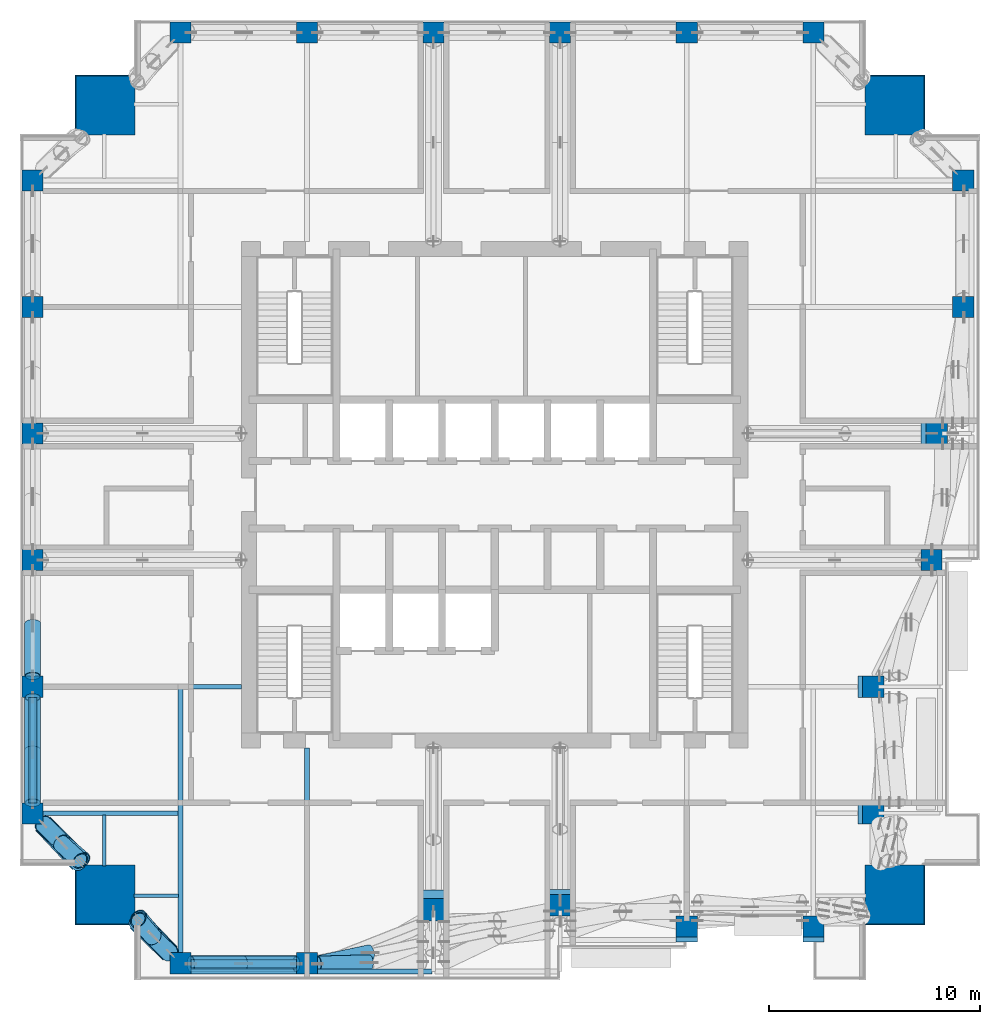
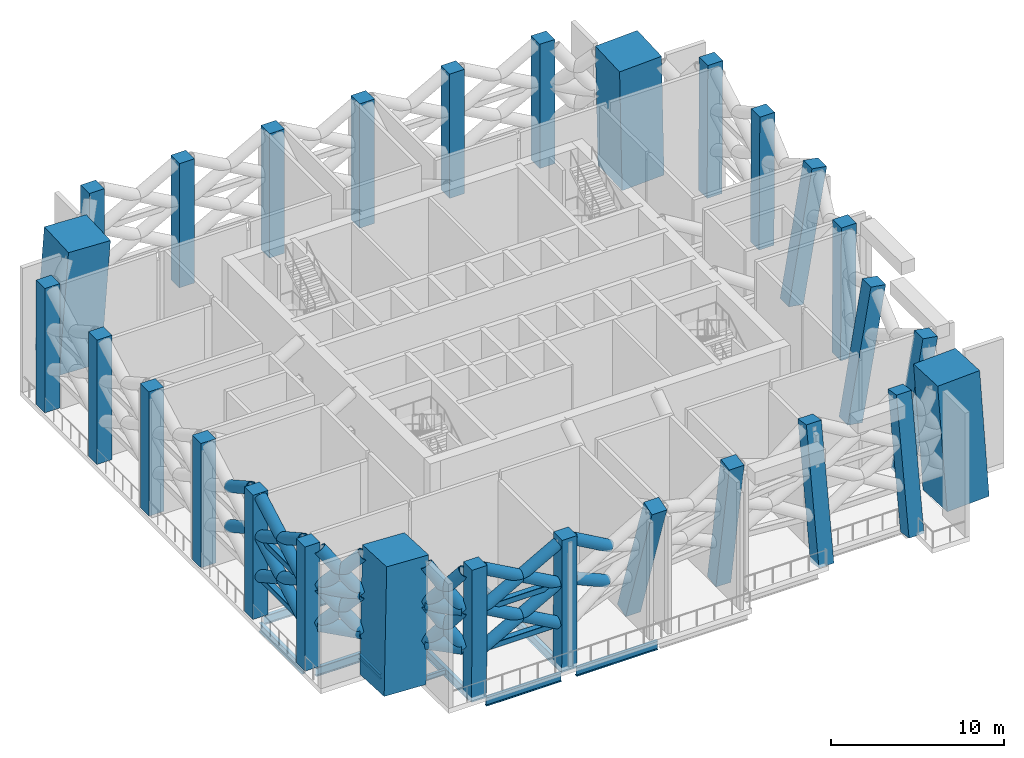
# One storey, part 1 of 18: 28 columns, 28 members, 17 beams.
"""IFC4 building model written with IfcOpenShell, lengths in metres."""

from ifc_helpers import new_model, si_unit, direction, frame, origin, origin_2d, place, context, subcontext, project, spatial, rectangle, hollow_rectangle, hollow_circle, i_section, extrude, material, material_profile, profile_set, type_object, element, save


model = new_model("IFC4")

# Units and contexts
model_context = context("Model", 3, precision=1e-05, world=origin(), true_north=direction((0.0, 1.0)))
body_context = subcontext(model_context, "Body", "Model", "MODEL_VIEW")
ifc_project = project(units=[si_unit("LENGTHUNIT", "METRE"), si_unit("AREAUNIT", "SQUARE_METRE"), si_unit("VOLUMEUNIT", "CUBIC_METRE"), si_unit("PLANEANGLEUNIT", "RADIAN"), si_unit("MASSUNIT", "GRAM", prefix="KILO")], contexts=[model_context])

# Site, building, storey
site_placement = place(None, origin())
site = spatial("IfcSite", under=ifc_project, at=site_placement, CompositionType="ELEMENT")
building_placement = place(site_placement, origin())
building = spatial("IfcBuilding", under=site, at=building_placement, Name="Amberfall Residences", CompositionType="ELEMENT")
storey_placement = place(building_placement, frame((0.0, 0.0, 178.0)))
storey = spatial("IfcBuildingStorey", under=building, at=storey_placement, Name="L48", CompositionType="ELEMENT", Elevation=178.0)

# Columns
ifc_material_1 = material(Name="Concrete C60", Category="concrete")
ifc_material_profile_1 = material_profile(ifc_material_1, rectangle(XDim=1.0, YDim=1.0, at=origin_2d()), Name="Column 1000 x 1000 C60")
ifc_profile_set_1 = profile_set([ifc_material_profile_1], Name="Concrete C60")
column_type_1 = type_object("IfcColumnType", Name="Column 1000 x 1000 C60", PredefinedType="COLUMN", material=ifc_profile_set_1)
for number, where, z_axis, x_axis, name in (
    (1, (59.60009765625, 23.300048828125, -0.347412109375), (0.0, -0.005355759741, 0.999985657816), (1.0, 0.0, 0.0), "Column C3 L48 S1"),
    (2, (65.60009765625, 23.300048828125, -0.347412109375), (0.0, -0.005355759741, 0.999985657816), (1.0, 0.0, 0.0), "Column C3 L48 S2"),
):
    element("IfcColumn", number, at=place(storey_placement, frame(where, z_axis=z_axis, x_axis=x_axis)), inside=storey, type_object=column_type_1, Name=name, PredefinedType="COLUMN", context=body_context, shape_type="SweptSolid", body=[
        extrude(rectangle(XDim=1.0, YDim=1.0, at=origin_2d()), origin(), (0.0, 0.0, 1.0), 9.344970703125),
    ])
column_1_placement = place(storey_placement, frame((71.60009765625, 26.300048828125, -0.18994140625), z_axis=(0.0, -0.320006002898, 0.947415515024), x_axis=(1.0, 0.0, 0.0)))
element("IfcColumn", 3, at=column_1_placement, inside=storey, type_object=column_type_1, Name="Column C3 L48 S3", PredefinedType="COLUMN", context=body_context, shape_type="SweptSolid", body=[
    extrude(rectangle(XDim=1.0, YDim=1.0, at=origin_2d()), origin(), (0.0, 0.0, 1.0), 9.53125),
])
column_2_placement = place(storey_placement, frame((77.60009765625, 26.300048828125, -0.266845703125), z_axis=(0.0, -0.166430551689, 0.986053178822), x_axis=(1.0, 0.0, 0.0)))
element("IfcColumn", 4, at=column_2_placement, inside=storey, type_object=column_type_1, Name="Column C3 L48 S4", PredefinedType="COLUMN", context=body_context, shape_type="SweptSolid", body=[
    extrude(rectangle(XDim=1.0, YDim=1.0, at=origin_2d()), origin(), (0.0, 0.0, 1.0), 9.3134765625),
])
for number, where, z_axis, x_axis, name in (
    (5, (83.60009765625, 24.800048828125, -0.272216796875), (0.0, 0.155775350737, 0.987792508629), (-1.0, 0.0, 0.0), "Column C3 L48 S5"),
    (6, (89.60009765625, 24.800048828125, -0.272216796875), (0.0, 0.155775350737, 0.987792508629), (-1.0, 0.0, 0.0), "Column C3 L48 S6"),
):
    element("IfcColumn", number, at=place(storey_placement, frame(where, z_axis=z_axis, x_axis=x_axis)), inside=storey, type_object=column_type_1, Name=name, PredefinedType="COLUMN", context=body_context, shape_type="SweptSolid", body=[
        extrude(rectangle(XDim=1.0, YDim=1.0, at=origin_2d()), origin(), (0.0, 0.0, 1.0), 9.307861328125),
    ])
for number, where, z_axis, x_axis, name in (
    (7, (92.199951171875, 30.39990234375, -0.266845703125), (0.166430551689, 0.0, 0.986053178822), (0.0, 1.0, 0.0), "Column C3 L48 E1"),
    (8, (92.199951171875, 36.39990234375, -0.266845703125), (0.166430551689, 0.0, 0.986053178822), (0.0, 1.0, 0.0), "Column C3 L48 E2"),
):
    element("IfcColumn", number, at=place(storey_placement, frame(where, z_axis=z_axis, x_axis=x_axis)), inside=storey, type_object=column_type_1, Name=name, PredefinedType="COLUMN", context=body_context, shape_type="SweptSolid", body=[
        extrude(rectangle(XDim=1.0, YDim=1.0, at=origin_2d()), origin(), (0.0, 0.0, 1.0), 9.3134765625),
    ])
column_3_placement = place(storey_placement, frame((95.199951171875, 42.39990234375, -0.347412109375), z_axis=(0.005355759741, 0.0, 0.999985657816), x_axis=(0.0, 1.0, 0.0)))
element("IfcColumn", 9, at=column_3_placement, inside=storey, type_object=column_type_1, Name="Column C3 L48 E3", PredefinedType="COLUMN", context=body_context, shape_type="SweptSolid", body=[
    extrude(rectangle(XDim=1.0, YDim=1.0, at=origin_2d()), origin(), (0.0, 0.0, 1.0), 9.344970703125),
])
column_4_placement = place(storey_placement, frame((95.199951171875, 48.39990234375, -0.266845703125), z_axis=(0.166430551689, 0.0, 0.986053178822), x_axis=(0.0, 1.0, 0.0)))
element("IfcColumn", 10, at=column_4_placement, inside=storey, type_object=column_type_1, Name="Column C3 L48 E4", PredefinedType="COLUMN", context=body_context, shape_type="SweptSolid", body=[
    extrude(rectangle(XDim=1.0, YDim=1.0, at=origin_2d()), origin(), (0.0, 0.0, 1.0), 9.3134765625),
])
for number, where, z_axis, x_axis, name in (
    (11, (96.699951171875, 54.39990234375, -0.347412109375), (0.005355759741, 0.0, 0.999985657816), (0.0, 1.0, 0.0), "Column C3 L48 E5"),
    (12, (96.699951171875, 60.39990234375, -0.347412109375), (0.005355759741, 0.0, 0.999985657816), (0.0, 1.0, 0.0), "Column C3 L48 E6"),
):
    element("IfcColumn", number, at=place(storey_placement, frame(where, z_axis=z_axis, x_axis=x_axis)), inside=storey, type_object=column_type_1, Name=name, PredefinedType="COLUMN", context=body_context, shape_type="SweptSolid", body=[
        extrude(rectangle(XDim=1.0, YDim=1.0, at=origin_2d()), origin(), (0.0, 0.0, 1.0), 9.344970703125),
    ])
for number, where, z_axis, x_axis, name in (
    (13, (59.60009765625, 67.39990234375, 0.0), (0.0, 0.0, 1.0), (1.0, 0.0, 0.0), "Column C3 L48 N1"),
    (14, (65.60009765625, 67.39990234375, 0.0), (0.0, 0.0, 1.0), (1.0, 0.0, 0.0), "Column C3 L48 N2"),
    (15, (71.60009765625, 67.39990234375, 0.0), (0.0, 0.0, 1.0), (1.0, 0.0, 0.0), "Column C3 L48 N3"),
    (16, (77.60009765625, 67.39990234375, 0.0), (0.0, 0.0, 1.0), (1.0, 0.0, 0.0), "Column C3 L48 N4"),
    (17, (83.60009765625, 67.39990234375, 0.0), (0.0, 0.0, 1.0), (1.0, 0.0, 0.0), "Column C3 L48 N5"),
    (18, (89.60009765625, 67.39990234375, 0.0), (0.0, 0.0, 1.0), (1.0, 0.0, 0.0), "Column C3 L48 N6"),
    (19, (52.60009765625, 30.39990234375, 0.0), (0.0, 0.0, 1.0), (1.0, 0.0, 0.0), "Column C3 L48 W1"),
    (20, (52.60009765625, 36.39990234375, 0.0), (0.0, 0.0, 1.0), (1.0, 0.0, 0.0), "Column C3 L48 W2"),
    (21, (52.60009765625, 42.39990234375, 0.0), (0.0, 0.0, 1.0), (1.0, 0.0, 0.0), "Column C3 L48 W3"),
    (22, (52.60009765625, 48.39990234375, 0.0), (0.0, 0.0, 1.0), (1.0, 0.0, 0.0), "Column C3 L48 W4"),
    (23, (52.60009765625, 54.39990234375, 0.0), (0.0, 0.0, 1.0), (1.0, 0.0, 0.0), "Column C3 L48 W5"),
    (24, (52.60009765625, 60.39990234375, 0.0), (0.0, 0.0, 1.0), (1.0, 0.0, 0.0), "Column C3 L48 W6"),
):
    element("IfcColumn", number, at=place(storey_placement, frame(where, z_axis=z_axis, x_axis=x_axis)), inside=storey, type_object=column_type_1, Name=name, PredefinedType="COLUMN", context=body_context, shape_type="SweptSolid", body=[
        extrude(rectangle(XDim=1.0, YDim=1.0, at=origin_2d()), origin(), (0.0, 0.0, 1.0), 8.75),
    ])
ifc_material_profile_2 = material_profile(ifc_material_1, rectangle(XDim=2.800048828125, YDim=2.800048828125, at=origin_2d()), Name="Mega column 2800 x 2800 C60")
ifc_profile_set_2 = profile_set([ifc_material_profile_2], Name="Concrete C60")
column_type_2 = type_object("IfcColumnType", Name="Mega column 2800 x 2800 C60", PredefinedType="COLUMN", material=ifc_profile_set_2)
for number, where, z_axis, x_axis, name in (
    (25, (56.0, 26.5, 0.127685546875), (0.045635855998, 0.045635855998, 0.997915195442), (-0.998957597721, 0.001042402279, 0.045635855998), "Mega column MC5 L48 SW"),
    (26, (93.5, 26.5, 0.127685546875), (-0.045635855998, 0.045635855998, 0.997915195442), (-0.001042402279, -0.998957597721, 0.045635855998), "Mega column MC5 L48 SE"),
    (27, (93.5, 64.0, 0.127685546875), (-0.045635855998, -0.045635855998, 0.997915195442), (0.998957597721, -0.001042402279, 0.045635855998), "Mega column MC5 L48 NE"),
    (28, (56.0, 64.0, 0.127685546875), (0.045635855998, -0.045635855998, 0.997915195442), (0.001042402279, 0.998957597721, 0.045635855998), "Mega column MC5 L48 NW"),
):
    element("IfcColumn", number, at=place(storey_placement, frame(where, z_axis=z_axis, x_axis=x_axis)), inside=storey, type_object=column_type_2, Name=name, PredefinedType="COLUMN", context=body_context, shape_type="SweptSolid", body=[
        extrude(rectangle(XDim=2.800048828125, YDim=2.800048828125, at=origin_2d()), origin(), (0.0, 0.0, 1.0), 8.762939453125),
    ])

# Beams
ifc_material_2 = material(Name="Steel S355", Category="steel")
ifc_material_profile_3 = material_profile(ifc_material_2, hollow_circle(Radius=0.457275390625, WallThickness=0.06005859375, at=origin_2d()), Name="CHS 914.4x60")
ifc_profile_set_3 = profile_set([ifc_material_profile_3], Name="Steel S355")
beam_type_1 = type_object("IfcBeamType", Name="Belt truss chord BT CHS 914.4x60", PredefinedType="BEAM", material=ifc_profile_set_3)
beam_1_placement = place(storey_placement, frame((57.531494140625, 25.279541015625, 3.0), z_axis=(0.719370592212, -0.694626483126, 0.0), x_axis=(0.694626483126, 0.719370592212, 0.0)))
element("IfcBeam", 29, at=beam_1_placement, inside=storey, type_object=beam_type_1, Name="Belt truss chord BT2 L48 SWS", PredefinedType="BEAM", context=body_context, shape_type="SweptSolid", body=[
    extrude(hollow_circle(Radius=0.457275390625, WallThickness=0.06005859375, at=origin_2d()), origin(), (0.0, 0.0, 1.0), 2.180419921875),
])
beam_2_placement = place(storey_placement, frame((57.597412109375, 25.352294921875, 5.646484375), z_axis=(0.692797770841, -0.721131921854, 0.0), x_axis=(0.721131921854, 0.692797770841, 0.0)))
element("IfcBeam", 30, at=beam_2_placement, inside=storey, type_object=beam_type_1, Name="Belt truss chord BT2 L48 SWSm", PredefinedType="BEAM", context=body_context, shape_type="SweptSolid", body=[
    extrude(hollow_circle(Radius=0.457275390625, WallThickness=0.06005859375, at=origin_2d()), origin(), (0.0, 0.0, 1.0), 2.197265625),
])
beam_3_placement = place(storey_placement, frame((54.8193359375, 28.031494140625, 3.0), z_axis=(-0.683753974812, 0.729712615986, 0.0), x_axis=(-0.729712615986, -0.683753974812, 0.0)))
element("IfcBeam", 31, at=beam_3_placement, inside=storey, type_object=beam_type_1, Name="Belt truss chord BT2 L48 SWW", PredefinedType="BEAM", context=body_context, shape_type="SweptSolid", body=[
    extrude(hollow_circle(Radius=0.457275390625, WallThickness=0.06005859375, at=origin_2d()), origin(), (0.0, 0.0, 1.0), 2.560546875),
])
beam_4_placement = place(storey_placement, frame((54.852294921875, 28.150634765625, 5.646484375), z_axis=(-0.707550278113, 0.706663005924, 0.0), x_axis=(-0.706663005924, -0.707550278113, 0.0)))
element("IfcBeam", 32, at=beam_4_placement, inside=storey, type_object=beam_type_1, Name="Belt truss chord BT2 L48 SWWm", PredefinedType="BEAM", context=body_context, shape_type="SweptSolid", body=[
    extrude(hollow_circle(Radius=0.457275390625, WallThickness=0.06005859375, at=origin_2d()), origin(), (0.0, 0.0, 1.0), 2.476318359375),
])
ifc_material_profile_4 = material_profile(ifc_material_2, hollow_rectangle(XDim=0.39990234375, YDim=0.39990234375, WallThickness=0.02001953125, InnerFilletRadius=0.02001953125, OuterFilletRadius=0.030029296875, at=origin_2d()), Name="RHS 400x400x20")
ifc_profile_set_4 = profile_set([ifc_material_profile_4], Name="Steel S355")
beam_type_2 = type_object("IfcBeamType", Name="Belt truss chord BT RHS 400x400x20", PredefinedType="BEAM", material=ifc_profile_set_4)
for number, where, z_axis, x_axis, name in (
    (33, (60.10009765625, 23.28271484375, 2.89990234375), (1.0, 0.0, 0.0), (0.0, 1.0, 0.0), "Belt truss chord BT3 L48 S1"),
    (34, (60.10009765625, 23.267578125, 5.699951171875), (1.0, 0.0, 0.0), (0.0, 1.0, 0.0), "Belt truss chord BT3 L48 S1m"),
    (35, (52.60009765625, 30.89990234375, 2.89990234375), (0.0, 1.0, 0.0), (-1.0, 0.0, 0.0), "Belt truss chord BT3 L48 W1"),
    (36, (52.60009765625, 30.89990234375, 5.699951171875), (0.0, 1.0, 0.0), (-1.0, 0.0, 0.0), "Belt truss chord BT3 L48 W1m"),
):
    element("IfcBeam", number, at=place(storey_placement, frame(where, z_axis=z_axis, x_axis=x_axis)), inside=storey, type_object=beam_type_2, Name=name, PredefinedType="BEAM", context=body_context, shape_type="SweptSolid", body=[
        extrude(hollow_rectangle(XDim=0.39990234375, YDim=0.39990234375, WallThickness=0.02001953125, InnerFilletRadius=0.02001953125, OuterFilletRadius=0.030029296875, at=origin_2d()), origin(), (0.0, 0.0, 1.0), 5.0),
    ])

# Members
ifc_material_profile_5 = material_profile(ifc_material_2, hollow_circle(Radius=0.381103515625, WallThickness=0.0400390625, at=origin_2d()), Name="CHS 762x40")
ifc_profile_set_5 = profile_set([ifc_material_profile_5], Name="Steel S355")
member_type_1 = type_object("IfcMemberType", Name="Belt truss diagonal BT CHS 762x40", PredefinedType="BRACE", material=ifc_profile_set_5)
member_1_placement = place(storey_placement, frame((60.10009765625, 23.28271484375, 2.89990234375), z_axis=(0.872499339919, -0.002641355424, 0.488608150856), x_axis=(0.003027329878, 0.999995417626, 0.0)))
element("IfcMember", 37, at=member_1_placement, inside=storey, type_object=member_type_1, Name="Belt truss diagonal BT4 L48 S1d", PredefinedType="BRACE", context=body_context, shape_type="SweptSolid", body=[
    extrude(hollow_circle(Radius=0.381103515625, WallThickness=0.0400390625, at=origin_2d()), origin(), (0.0, 0.0, 1.0), 5.730712890625),
])
member_2_placement = place(storey_placement, frame((60.10009765625, 23.267578125, 5.699951171875), z_axis=(0.872517501581, 0.002641410405, -0.48857571817), x_axis=(-0.003027329878, 0.999995417626, 0.0)))
element("IfcMember", 38, at=member_2_placement, inside=storey, type_object=member_type_1, Name="Belt truss diagonal BT4 L48 S1e", PredefinedType="BRACE", context=body_context, shape_type="SweptSolid", body=[
    extrude(hollow_circle(Radius=0.381103515625, WallThickness=0.0400390625, at=origin_2d()), origin(), (0.0, 0.0, 1.0), 2.865234375),
])
member_3_placement = place(storey_placement, frame((62.60009765625, 23.275146484375, 4.300048828125), z_axis=(0.872481177807, 0.002641300441, -0.488640581516), x_axis=(-0.003027329878, 0.999995417626, 0.0)))
element("IfcMember", 39, at=member_3_placement, inside=storey, type_object=member_type_1, Name="Belt truss diagonal BT4 L48 S1e2", PredefinedType="BRACE", context=body_context, shape_type="SweptSolid", body=[
    extrude(hollow_circle(Radius=0.381103515625, WallThickness=0.0400390625, at=origin_2d()), origin(), (0.0, 0.0, 1.0), 2.865478515625),
])
member_4_placement = place(storey_placement, frame((60.10009765625, 23.267578125, 5.699951171875), z_axis=(0.872499437308, -0.002598753207, 0.488608205395), x_axis=(0.002978502413, 0.999995564252, 0.0)))
element("IfcMember", 40, at=member_4_placement, inside=storey, type_object=member_type_1, Name="Belt truss diagonal BT4 L48 S1du", PredefinedType="BRACE", context=body_context, shape_type="SweptSolid", body=[
    extrude(hollow_circle(Radius=0.381103515625, WallThickness=0.0400390625, at=origin_2d()), origin(), (0.0, 0.0, 1.0), 5.730712890625),
])
member_5_placement = place(storey_placement, frame((60.10009765625, 23.252685546875, 8.5), z_axis=(0.872517501581, 0.002641410405, -0.48857571817), x_axis=(-0.003027329878, 0.999995417626, 0.0)))
element("IfcMember", 41, at=member_5_placement, inside=storey, type_object=member_type_1, Name="Belt truss diagonal BT4 L48 S1eu", PredefinedType="BRACE", context=body_context, shape_type="SweptSolid", body=[
    extrude(hollow_circle(Radius=0.381103515625, WallThickness=0.0400390625, at=origin_2d()), origin(), (0.0, 0.0, 1.0), 2.865234375),
])
member_6_placement = place(storey_placement, frame((62.60009765625, 23.26025390625, 7.10009765625), z_axis=(0.87248137099, 0.002556097767, -0.48864068971), x_axis=(-0.002929674927, 0.999995708493, 0.0)))
element("IfcMember", 42, at=member_6_placement, inside=storey, type_object=member_type_1, Name="Belt truss diagonal BT4 L48 S1e2u", PredefinedType="BRACE", context=body_context, shape_type="SweptSolid", body=[
    extrude(hollow_circle(Radius=0.381103515625, WallThickness=0.0400390625, at=origin_2d()), origin(), (0.0, 0.0, 1.0), 2.865478515625),
])
member_7_placement = place(storey_placement, frame((66.10009765625, 23.267578125, 5.699951171875), z_axis=(0.857872288562, 0.181531005962, -0.480730309417), x_axis=(-0.207021925831, 0.978336303234, 0.0)))
element("IfcMember", 43, at=member_7_placement, inside=storey, type_object=member_type_1, Name="Belt truss diagonal BT4 L48 S2e", PredefinedType="BRACE", context=body_context, shape_type="SweptSolid", body=[
    extrude(hollow_circle(Radius=0.381103515625, WallThickness=0.0400390625, at=origin_2d()), origin(), (0.0, 0.0, 1.0), 2.9130859375),
])
member_8_placement = place(storey_placement, frame((66.10009765625, 23.252685546875, 8.5), z_axis=(0.865032685338, 0.022087769511, -0.501229073114), x_axis=(-0.025525708958, 0.999674166007, 0.0)))
element("IfcMember", 44, at=member_8_placement, inside=storey, type_object=member_type_1, Name="Belt truss diagonal BT4 L48 S2eu", PredefinedType="BRACE", context=body_context, shape_type="SweptSolid", body=[
    extrude(hollow_circle(Radius=0.381103515625, WallThickness=0.0400390625, at=origin_2d()), origin(), (0.0, 0.0, 1.0), 2.840576171875),
])
member_9_placement = place(storey_placement, frame((52.60009765625, 30.89990234375, 2.89990234375), z_axis=(0.0, 0.872502383543, 0.488609855315), x_axis=(-1.0, 0.0, 0.0)))
element("IfcMember", 45, at=member_9_placement, inside=storey, type_object=member_type_1, Name="Belt truss diagonal BT4 L48 W1d", PredefinedType="BRACE", context=body_context, shape_type="SweptSolid", body=[
    extrude(hollow_circle(Radius=0.381103515625, WallThickness=0.0400390625, at=origin_2d()), origin(), (0.0, 0.0, 1.0), 5.730712890625),
])
member_10_placement = place(storey_placement, frame((52.60009765625, 30.89990234375, 5.699951171875), z_axis=(0.0, 0.872520545396, -0.488577422588), x_axis=(-1.0, 0.0, 0.0)))
element("IfcMember", 46, at=member_10_placement, inside=storey, type_object=member_type_1, Name="Belt truss diagonal BT4 L48 W1e", PredefinedType="BRACE", context=body_context, shape_type="SweptSolid", body=[
    extrude(hollow_circle(Radius=0.381103515625, WallThickness=0.0400390625, at=origin_2d()), origin(), (0.0, 0.0, 1.0), 2.865234375),
])
member_11_placement = place(storey_placement, frame((52.60009765625, 33.39990234375, 4.300048828125), z_axis=(0.0, 0.872484221242, -0.488642286018), x_axis=(-1.0, 0.0, 0.0)))
element("IfcMember", 47, at=member_11_placement, inside=storey, type_object=member_type_1, Name="Belt truss diagonal BT4 L48 W1e2", PredefinedType="BRACE", context=body_context, shape_type="SweptSolid", body=[
    extrude(hollow_circle(Radius=0.381103515625, WallThickness=0.0400390625, at=origin_2d()), origin(), (0.0, 0.0, 1.0), 2.865478515625),
])
member_12_placement = place(storey_placement, frame((52.60009765625, 30.89990234375, 5.699951171875), z_axis=(0.0, 0.872502383543, 0.488609855315), x_axis=(-1.0, 0.0, 0.0)))
element("IfcMember", 48, at=member_12_placement, inside=storey, type_object=member_type_1, Name="Belt truss diagonal BT4 L48 W1du", PredefinedType="BRACE", context=body_context, shape_type="SweptSolid", body=[
    extrude(hollow_circle(Radius=0.381103515625, WallThickness=0.0400390625, at=origin_2d()), origin(), (0.0, 0.0, 1.0), 5.730712890625),
])
member_13_placement = place(storey_placement, frame((52.60009765625, 30.89990234375, 8.5), z_axis=(0.0, 0.872520545396, -0.488577422588), x_axis=(-1.0, 0.0, 0.0)))
element("IfcMember", 49, at=member_13_placement, inside=storey, type_object=member_type_1, Name="Belt truss diagonal BT4 L48 W1eu", PredefinedType="BRACE", context=body_context, shape_type="SweptSolid", body=[
    extrude(hollow_circle(Radius=0.381103515625, WallThickness=0.0400390625, at=origin_2d()), origin(), (0.0, 0.0, 1.0), 2.865234375),
])
member_14_placement = place(storey_placement, frame((52.60009765625, 33.39990234375, 7.10009765625), z_axis=(0.0, 0.872484221242, -0.488642286018), x_axis=(-1.0, 0.0, 0.0)))
element("IfcMember", 50, at=member_14_placement, inside=storey, type_object=member_type_1, Name="Belt truss diagonal BT4 L48 W1e2u", PredefinedType="BRACE", context=body_context, shape_type="SweptSolid", body=[
    extrude(hollow_circle(Radius=0.381103515625, WallThickness=0.0400390625, at=origin_2d()), origin(), (0.0, 0.0, 1.0), 2.865478515625),
])
for number, where, z_axis, x_axis, name in (
    (51, (52.60009765625, 36.89990234375, 5.699951171875), (0.0, 0.872520545396, -0.488577422588), (-1.0, 0.0, 0.0), "Belt truss diagonal BT4 L48 W2e"),
    (52, (52.60009765625, 36.89990234375, 8.5), (0.0, 0.872520545396, -0.488577422588), (-1.0, 0.0, 0.0), "Belt truss diagonal BT4 L48 W2eu"),
):
    element("IfcMember", number, at=place(storey_placement, frame(where, z_axis=z_axis, x_axis=x_axis)), inside=storey, type_object=member_type_1, Name=name, PredefinedType="BRACE", context=body_context, shape_type="SweptSolid", body=[
        extrude(hollow_circle(Radius=0.381103515625, WallThickness=0.0400390625, at=origin_2d()), origin(), (0.0, 0.0, 1.0), 2.865234375),
    ])
ifc_material_profile_6 = material_profile(ifc_material_2, hollow_circle(Radius=0.406494140625, WallThickness=0.050048828125, at=origin_2d()), Name="CHS 813x50")
ifc_profile_set_6 = profile_set([ifc_material_profile_6], Name="Steel S355")
member_type_2 = type_object("IfcMemberType", Name="Belt truss diagonal BT CHS 813x50", PredefinedType="BRACE", material=ifc_profile_set_6)
member_15_placement = place(storey_placement, frame((57.531494140625, 25.279541015625, 3.0), z_axis=(0.46210181302, -0.439866937159, 0.770051291797), x_axis=(0.689466082588, 0.724317969514, 0.0)))
element("IfcMember", 53, at=member_15_placement, inside=storey, type_object=member_type_2, Name="Belt truss diagonal BT5 L48 SWSd", PredefinedType="BRACE", context=body_context, shape_type="SweptSolid", body=[
    extrude(hollow_circle(Radius=0.406494140625, WallThickness=0.050048828125, at=origin_2d()), origin(), (0.0, 0.0, 1.0), 3.436767578125),
])
member_16_placement = place(storey_placement, frame((57.597412109375, 25.352294921875, 5.646484375), z_axis=(0.420776574606, -0.479127281014, -0.770314301341), x_axis=(0.751378447399, 0.659871524453, 0.0)))
element("IfcMember", 54, at=member_16_placement, inside=storey, type_object=member_type_2, Name="Belt truss diagonal BT5 L48 SWSe", PredefinedType="BRACE", context=body_context, shape_type="SweptSolid", body=[
    extrude(hollow_circle(Radius=0.406494140625, WallThickness=0.050048828125, at=origin_2d()), origin(), (0.0, 0.0, 1.0), 1.723876953125),
])
member_17_placement = place(storey_placement, frame((58.32275390625, 24.5263671875, 4.318603515625), z_axis=(0.454686352055, -0.445404124391, -0.771281717164), x_axis=(0.699777498231, 0.714360870268, 0.0)))
element("IfcMember", 55, at=member_17_placement, inside=storey, type_object=member_type_2, Name="Belt truss diagonal BT5 L48 SWSe2", PredefinedType="BRACE", context=body_context, shape_type="SweptSolid", body=[
    extrude(hollow_circle(Radius=0.406494140625, WallThickness=0.050048828125, at=origin_2d()), origin(), (0.0, 0.0, 1.0), 1.709716796875),
])
member_18_placement = place(storey_placement, frame((57.597412109375, 25.352294921875, 5.646484375), z_axis=(0.449671527403, -0.461803841554, 0.76454740165), x_axis=(0.716455354619, 0.697632944203, 0.0)))
element("IfcMember", 56, at=member_18_placement, inside=storey, type_object=member_type_2, Name="Belt truss diagonal BT5 L48 SWSdu", PredefinedType="BRACE", context=body_context, shape_type="SweptSolid", body=[
    extrude(hollow_circle(Radius=0.406494140625, WallThickness=0.050048828125, at=origin_2d()), origin(), (0.0, 0.0, 1.0), 3.461181640625),
])
member_19_placement = place(storey_placement, frame((57.62109375, 25.471435546875, 8.292724609375), z_axis=(0.412879356769, -0.504265509957, -0.758450349214), x_axis=(0.773732791049, 0.633512089904, 0.0)))
element("IfcMember", 57, at=member_19_placement, inside=storey, type_object=member_type_2, Name="Belt truss diagonal BT5 L48 SWSeu", PredefinedType="BRACE", context=body_context, shape_type="SweptSolid", body=[
    extrude(hollow_circle(Radius=0.406494140625, WallThickness=0.050048828125, at=origin_2d()), origin(), (0.0, 0.0, 1.0), 1.78466796875),
])
member_20_placement = place(storey_placement, frame((58.35791015625, 24.571533203125, 6.939208984375), z_axis=(0.447504740223, -0.472174873338, -0.759467179321), x_axis=(0.72581362308, 0.687891404621, 0.0)))
element("IfcMember", 58, at=member_20_placement, inside=storey, type_object=member_type_2, Name="Belt truss diagonal BT5 L48 SWSe2u", PredefinedType="BRACE", context=body_context, shape_type="SweptSolid", body=[
    extrude(hollow_circle(Radius=0.406494140625, WallThickness=0.050048828125, at=origin_2d()), origin(), (0.0, 0.0, 1.0), 1.7021484375),
])
member_21_placement = place(storey_placement, frame((54.8193359375, 28.031494140625, 3.0), z_axis=(-0.468728012521, 0.509596941758, 0.72152963018), x_axis=(-0.736003816288, -0.676977386926, 0.0)))
element("IfcMember", 59, at=member_21_placement, inside=storey, type_object=member_type_2, Name="Belt truss diagonal BT5 L48 SWWd", PredefinedType="BRACE", context=body_context, shape_type="SweptSolid", body=[
    extrude(hollow_circle(Radius=0.406494140625, WallThickness=0.050048828125, at=origin_2d()), origin(), (0.0, 0.0, 1.0), 3.66796875),
])
member_22_placement = place(storey_placement, frame((54.852294921875, 28.150634765625, 5.646484375), z_axis=(-0.50666845183, 0.464264283768, -0.726461117155), x_axis=(-0.675580863112, -0.737285899361, 0.0)))
element("IfcMember", 60, at=member_22_placement, inside=storey, type_object=member_type_2, Name="Belt truss diagonal BT5 L48 SWWe", PredefinedType="BRACE", context=body_context, shape_type="SweptSolid", body=[
    extrude(hollow_circle(Radius=0.406494140625, WallThickness=0.050048828125, at=origin_2d()), origin(), (0.0, 0.0, 1.0), 1.79052734375),
])
member_23_placement = place(storey_placement, frame((53.945068359375, 28.98193359375, 4.345703125), z_axis=(-0.473815026918, 0.496251950198, -0.727484241886), x_axis=(-0.723268197171, -0.690567241448, 0.0)))
element("IfcMember", 61, at=member_23_placement, inside=storey, type_object=member_type_2, Name="Belt truss diagonal BT5 L48 SWWe2", PredefinedType="BRACE", context=body_context, shape_type="SweptSolid", body=[
    extrude(hollow_circle(Radius=0.406494140625, WallThickness=0.050048828125, at=origin_2d()), origin(), (0.0, 0.0, 1.0), 1.849853515625),
])
member_24_placement = place(storey_placement, frame((54.852294921875, 28.150634765625, 5.646484375), z_axis=(-0.481429125452, 0.489478657994, 0.72707402686), x_axis=(-0.712944709195, -0.701220251869, 0.0)))
element("IfcMember", 62, at=member_24_placement, inside=storey, type_object=member_type_2, Name="Belt truss diagonal BT5 L48 SWWdu", PredefinedType="BRACE", context=body_context, shape_type="SweptSolid", body=[
    extrude(hollow_circle(Radius=0.406494140625, WallThickness=0.050048828125, at=origin_2d()), origin(), (0.0, 0.0, 1.0), 3.6396484375),
])
member_25_placement = place(storey_placement, frame((54.971435546875, 28.181396484375, 8.292724609375), z_axis=(-0.525280578389, 0.452706338657, -0.72051182149), x_axis=(-0.652838898376, -0.757496780698, 0.0)))
element("IfcMember", 63, at=member_25_placement, inside=storey, type_object=member_type_2, Name="Belt truss diagonal BT5 L48 SWWeu", PredefinedType="BRACE", context=body_context, shape_type="SweptSolid", body=[
    extrude(hollow_circle(Radius=0.406494140625, WallThickness=0.050048828125, at=origin_2d()), origin(), (0.0, 0.0, 1.0), 1.866943359375),
])
member_26_placement = place(storey_placement, frame((53.99072265625, 29.026611328125, 6.947509765625), z_axis=(-0.494045297469, 0.484836119775, -0.72170158723), x_axis=(-0.700423424984, -0.713727557079, 0.0)))
element("IfcMember", 64, at=member_26_placement, inside=storey, type_object=member_type_2, Name="Belt truss diagonal BT5 L48 SWWe2u", PredefinedType="BRACE", context=body_context, shape_type="SweptSolid", body=[
    extrude(hollow_circle(Radius=0.406494140625, WallThickness=0.050048828125, at=origin_2d()), origin(), (0.0, 0.0, 1.0), 1.802734375),
])

# Beams
ifc_material_profile_7 = material_profile(ifc_material_2, i_section(OverallWidth=0.228271484375, OverallDepth=0.607666015625, WebThickness=0.010986328125, FlangeThickness=0.017333984375, FilletRadius=0.0126953125, at=origin_2d()), Name="UB 610x229x113")
ifc_profile_set_7 = profile_set([ifc_material_profile_7], Name="Steel S355")
beam_type_3 = type_object("IfcBeamType", Name="Edge beam UB 610x229x113", PredefinedType="SPANDREL", material=ifc_profile_set_7)
beam_5_placement = place(storey_placement, frame((60.10009765625, 22.89990234375, -0.65380859375), z_axis=(1.0, 0.0, 0.0), x_axis=(0.0, 1.0, 0.0)))
element("IfcBeam", 65, at=beam_5_placement, inside=storey, type_object=beam_type_3, Name="Edge beam B12 L48 01", PredefinedType="SPANDREL", context=body_context, shape_type="SweptSolid", body=[
    extrude(i_section(OverallWidth=0.228271484375, OverallDepth=0.607666015625, WebThickness=0.010986328125, FlangeThickness=0.017333984375, FilletRadius=0.0126953125, at=origin_2d()), origin(), (0.0, 0.0, 1.0), 5.0),
])
beam_6_placement = place(storey_placement, frame((66.10009765625, 22.89990234375, -0.65380859375), z_axis=(1.0, 0.0, 0.0), x_axis=(0.0, 1.0, 0.0)))
element("IfcBeam", 66, at=beam_6_placement, inside=storey, type_object=beam_type_3, Name="Edge beam B12 L48 02", PredefinedType="SPANDREL", context=body_context, shape_type="SweptSolid", body=[
    extrude(i_section(OverallWidth=0.228271484375, OverallDepth=0.607666015625, WebThickness=0.010986328125, FlangeThickness=0.017333984375, FilletRadius=0.0126953125, at=origin_2d()), origin(), (0.0, 0.0, 1.0), 5.419921875),
])
beam_7_placement = place(storey_placement, frame((52.60009765625, 30.89990234375, -0.65380859375), z_axis=(0.0, 1.0, 0.0), x_axis=(-1.0, 0.0, 0.0)))
element("IfcBeam", 67, at=beam_7_placement, inside=storey, type_object=beam_type_3, Name="Edge beam B12 L48 40", PredefinedType="SPANDREL", context=body_context, shape_type="SweptSolid", body=[
    extrude(i_section(OverallWidth=0.228271484375, OverallDepth=0.607666015625, WebThickness=0.010986328125, FlangeThickness=0.017333984375, FilletRadius=0.0126953125, at=origin_2d()), origin(), (0.0, 0.0, 1.0), 5.0),
])
ifc_material_profile_8 = material_profile(ifc_material_2, i_section(OverallWidth=0.230224609375, OverallDepth=0.6171875, WebThickness=0.01318359375, FlangeThickness=0.022216796875, FilletRadius=0.0126953125, at=origin_2d()), Name="UB 610x229x140")
ifc_profile_set_8 = profile_set([ifc_material_profile_8], Name="Steel S355")
beam_type_4 = type_object("IfcBeamType", Name="Floor girder UB 610x229x140", PredefinedType="BEAM", material=ifc_profile_set_8)
beam_8_placement = place(storey_placement, frame((59.60009765625, 23.800048828125, -0.65869140625), z_axis=(0.0, 1.0, 0.0), x_axis=(-1.0, 0.0, 0.0)))
element("IfcBeam", 68, at=beam_8_placement, inside=storey, type_object=beam_type_4, Name="Floor girder B13 L48 08", PredefinedType="BEAM", context=body_context, shape_type="SweptSolid", body=[
    extrude(i_section(OverallWidth=0.230224609375, OverallDepth=0.6171875, WebThickness=0.01318359375, FlangeThickness=0.022216796875, FilletRadius=0.0126953125, at=origin_2d()), origin(), (0.0, 0.0, 1.0), 12.48974609375),
])
beam_9_placement = place(storey_placement, frame((65.60009765625, 23.800048828125, -0.65869140625), z_axis=(0.0, 1.0, 0.0), x_axis=(-1.0, 0.0, 0.0)))
element("IfcBeam", 69, at=beam_9_placement, inside=storey, type_object=beam_type_4, Name="Floor girder B13 L48 09", PredefinedType="BEAM", context=body_context, shape_type="SweptSolid", body=[
    extrude(i_section(OverallWidth=0.230224609375, OverallDepth=0.6171875, WebThickness=0.01318359375, FlangeThickness=0.022216796875, FilletRadius=0.0126953125, at=origin_2d()), origin(), (0.0, 0.0, 1.0), 9.699951171875),
])
beam_10_placement = place(storey_placement, frame((53.10009765625, 30.39990234375, -0.65869140625), z_axis=(1.0, 0.0, 0.0), x_axis=(0.0, 1.0, 0.0)))
element("IfcBeam", 70, at=beam_10_placement, inside=storey, type_object=beam_type_4, Name="Floor girder B13 L48 45", PredefinedType="BEAM", context=body_context, shape_type="SweptSolid", body=[
    extrude(i_section(OverallWidth=0.230224609375, OverallDepth=0.6171875, WebThickness=0.01318359375, FlangeThickness=0.022216796875, FilletRadius=0.0126953125, at=origin_2d()), origin(), (0.0, 0.0, 1.0), 6.3798828125),
])
beam_11_placement = place(storey_placement, frame((53.10009765625, 36.39990234375, -0.65869140625), z_axis=(1.0, 0.0, 0.0), x_axis=(0.0, 1.0, 0.0)))
element("IfcBeam", 71, at=beam_11_placement, inside=storey, type_object=beam_type_4, Name="Floor girder B13 L48 46", PredefinedType="BEAM", context=body_context, shape_type="SweptSolid", body=[
    extrude(i_section(OverallWidth=0.230224609375, OverallDepth=0.6171875, WebThickness=0.01318359375, FlangeThickness=0.022216796875, FilletRadius=0.0126953125, at=origin_2d()), origin(), (0.0, 0.0, 1.0), 9.39990234375),
])
ifc_material_profile_9 = material_profile(ifc_material_2, i_section(OverallWidth=0.171142578125, OverallDepth=0.351318359375, WebThickness=0.007080078125, FlangeThickness=0.009765625, FilletRadius=0.01025390625, at=origin_2d()), Name="UB 356x171x45")
ifc_profile_set_9 = profile_set([ifc_material_profile_9], Name="Steel S355")
beam_type_5 = type_object("IfcBeamType", Name="Link beam UB 356x171x45", PredefinedType="BEAM", material=ifc_profile_set_9)
beam_12_placement = place(storey_placement, frame((57.39990234375, 26.5, -0.525634765625), z_axis=(1.0, 0.0, 0.0), x_axis=(0.0, 1.0, 0.0)))
element("IfcBeam", 72, at=beam_12_placement, inside=storey, type_object=beam_type_5, Name="Link beam B7 L48 51", PredefinedType="BEAM", context=body_context, shape_type="SweptSolid", body=[
    extrude(i_section(OverallWidth=0.171142578125, OverallDepth=0.351318359375, WebThickness=0.007080078125, FlangeThickness=0.009765625, FilletRadius=0.01025390625, at=origin_2d()), origin(), (0.0, 0.0, 1.0), 2.104736328125),
])
beam_13_placement = place(storey_placement, frame((56.0, 27.89990234375, -0.525634765625), z_axis=(0.0, 1.0, 0.0), x_axis=(-1.0, 0.0, 0.0)))
element("IfcBeam", 73, at=beam_13_placement, inside=storey, type_object=beam_type_5, Name="Link beam B7 L48 52", PredefinedType="BEAM", context=body_context, shape_type="SweptSolid", body=[
    extrude(i_section(OverallWidth=0.171142578125, OverallDepth=0.351318359375, WebThickness=0.007080078125, FlangeThickness=0.009765625, FilletRadius=0.01025390625, at=origin_2d()), origin(), (0.0, 0.0, 1.0), 2.42138671875),
])

save(model, "model.ifc")
